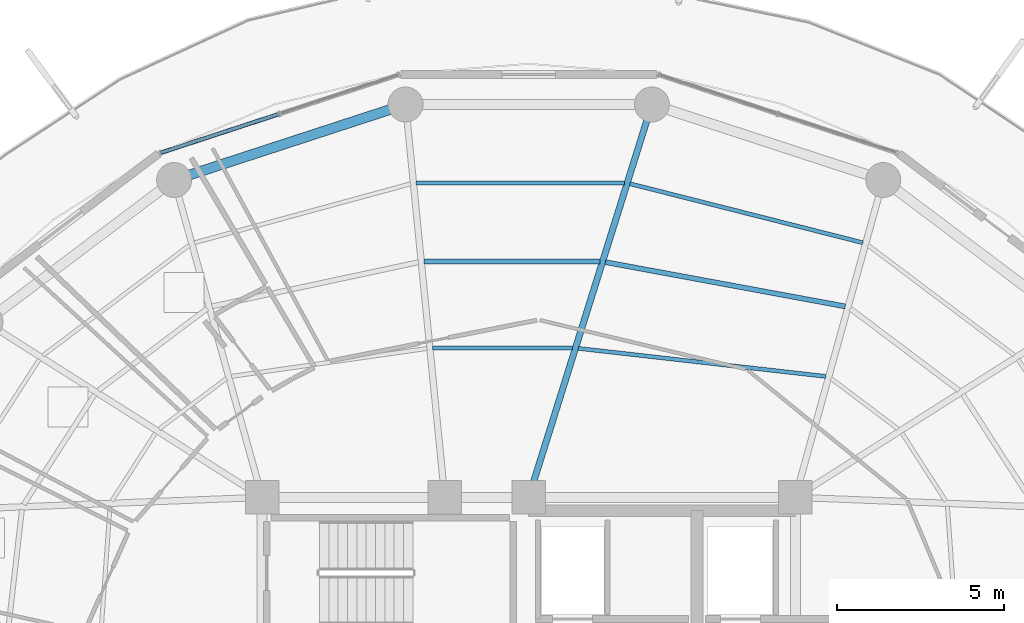
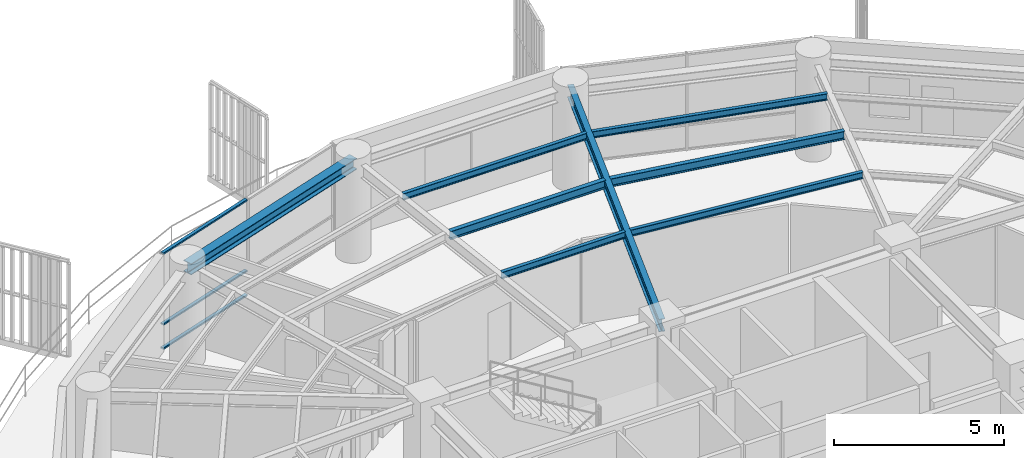
# One storey, part 19 of 31: 8 beams, 3 members, 1 element without a shape of its own.
"""IFC4 building model written with IfcOpenShell, lengths in metres."""

from ifc_helpers import new_model, si_unit, direction, frame, origin, origin_2d, place, context, subcontext, project, spatial, hollow_rectangle, i_section, extrude, material, layer, layer_set, material_profile, profile_set, type_object, element, aggregate, save


model = new_model("IFC4")

# Units and contexts
model_context = context("Model", 3, precision=1e-05, world=origin(), true_north=direction((0.0, 1.0)))
body_context = subcontext(model_context, "Body", "Model", "MODEL_VIEW")
ifc_project = project(units=[si_unit("LENGTHUNIT", "METRE"), si_unit("AREAUNIT", "SQUARE_METRE"), si_unit("VOLUMEUNIT", "CUBIC_METRE"), si_unit("PLANEANGLEUNIT", "RADIAN"), si_unit("MASSUNIT", "GRAM", prefix="KILO")], contexts=[model_context])

# Site, building, storey
site_placement = place(None, origin())
site = spatial("IfcSite", under=ifc_project, at=site_placement, CompositionType="ELEMENT")
building_placement = place(site_placement, origin())
building = spatial("IfcBuilding", under=site, at=building_placement, Name="Kelanora Arch Commons", CompositionType="ELEMENT")
storey_placement = place(building_placement, frame((0.0, 0.0, 230.699951171875)))
storey = spatial("IfcBuildingStorey", under=building, at=storey_placement, Name="L59", CompositionType="ELEMENT", Elevation=230.699951171875)

# Beams
ifc_material_1 = material(Name="Steel S355", Category="steel")
ifc_material_profile_1 = material_profile(ifc_material_1, i_section(OverallWidth=0.14990234375, OverallDepth=0.300048828125, WebThickness=0.007080078125, FlangeThickness=0.0107421875, FilletRadius=0.014892578125, at=origin_2d()), Name="IPE300")
ifc_profile_set_1 = profile_set([ifc_material_profile_1], Name="Steel S355")
beam_type_1 = type_object("IfcBeamType", Name="BM-JST-01", PredefinedType="JOIST", material=ifc_profile_set_1)
beam_1_placement = place(storey_placement, frame((83.50048828125, 70.729736328125, 3.340087890625), z_axis=(-0.983389964671, 0.181505309519, 0.0), x_axis=(-0.181505309519, -0.983389964671, 0.0)))
element("IfcBeam", 1, at=beam_1_placement, inside=storey, type_object=beam_type_1, Name="Secondary Chord Joist BJB-06 L59", PredefinedType="JOIST", context=body_context, shape_type="SweptSolid", body=[
    extrude(i_section(OverallWidth=0.14990234375, OverallDepth=0.300048828125, WebThickness=0.007080078125, FlangeThickness=0.0107421875, FilletRadius=0.014892578125, at=origin_2d()), origin(), (0.0, 0.0, 1.0), 7.3212890625),
])
beam_2_placement = place(storey_placement, frame((76.132080078125, 72.07421875, 3.340087890625), z_axis=(-1.0, 0.0, 0.0), x_axis=(0.0, -1.0, 0.0)))
element("IfcBeam", 2, at=beam_2_placement, inside=storey, type_object=beam_type_1, Name="Secondary Chord Joist BJB-08 L59", PredefinedType="JOIST", context=body_context, shape_type="SweptSolid", body=[
    extrude(i_section(OverallWidth=0.14990234375, OverallDepth=0.300048828125, WebThickness=0.007080078125, FlangeThickness=0.0107421875, FilletRadius=0.014892578125, at=origin_2d()), origin(), (0.0, 0.0, 1.0), 5.272216796875),
])
ifc_material_profile_2 = material_profile(ifc_material_1, i_section(OverallWidth=0.1201171875, OverallDepth=0.239990234375, WebThickness=0.006103515625, FlangeThickness=0.009765625, FilletRadius=0.014892578125, at=origin_2d()), Name="IPE240")
ifc_profile_set_2 = profile_set([ifc_material_profile_2], Name="Steel S355")
beam_type_2 = type_object("IfcBeamType", Name="BM-JST-02", PredefinedType="JOIST", material=ifc_profile_set_2)
beam_3_placement = place(storey_placement, frame((82.918701171875, 68.628662109375, 3.3701171875), z_axis=(-0.993639672263, 0.11260640171, 0.0), x_axis=(-0.11260640171, -0.993639672263, 0.0)))
element("IfcBeam", 3, at=beam_3_placement, inside=storey, type_object=beam_type_2, Name="Secondary Chord Joist BJA-06 L59", PredefinedType="JOIST", context=body_context, shape_type="SweptSolid", body=[
    extrude(i_section(OverallWidth=0.1201171875, OverallDepth=0.239990234375, WebThickness=0.006103515625, FlangeThickness=0.009765625, FilletRadius=0.014892578125, at=origin_2d()), origin(), (0.0, 0.0, 1.0), 7.477783203125),
])
beam_4_placement = place(storey_placement, frame((84.029541015625, 72.639892578125, 3.3701171875), z_axis=(-0.969370989998, 0.245601066263, 0.0), x_axis=(-0.245601066263, -0.969370989998, 0.0)))
element("IfcBeam", 4, at=beam_4_placement, inside=storey, type_object=beam_type_2, Name="Secondary Chord Joist BJC-06 L59", PredefinedType="JOIST", context=body_context, shape_type="SweptSolid", body=[
    extrude(i_section(OverallWidth=0.1201171875, OverallDepth=0.239990234375, WebThickness=0.006103515625, FlangeThickness=0.009765625, FilletRadius=0.014892578125, at=origin_2d()), origin(), (0.0, 0.0, 1.0), 7.2119140625),
])
beam_5_placement = place(storey_placement, frame((75.319091796875, 69.480224609375, 3.3701171875), z_axis=(-1.0, 0.0, 0.0), x_axis=(0.0, -1.0, 0.0)))
element("IfcBeam", 5, at=beam_5_placement, inside=storey, type_object=beam_type_2, Name="Secondary Chord Joist BJA-08 L59", PredefinedType="JOIST", context=body_context, shape_type="SweptSolid", body=[
    extrude(i_section(OverallWidth=0.1201171875, OverallDepth=0.239990234375, WebThickness=0.006103515625, FlangeThickness=0.009765625, FilletRadius=0.014892578125, at=origin_2d()), origin(), (0.0, 0.0, 1.0), 4.20068359375),
])
beam_6_placement = place(storey_placement, frame((76.87109375, 74.43212890625, 3.3701171875), z_axis=(-1.0, 0.0, 0.0), x_axis=(0.0, -1.0, 0.0)))
element("IfcBeam", 6, at=beam_6_placement, inside=storey, type_object=beam_type_2, Name="Secondary Chord Joist BJC-08 L59", PredefinedType="JOIST", context=body_context, shape_type="SweptSolid", body=[
    extrude(i_section(OverallWidth=0.1201171875, OverallDepth=0.239990234375, WebThickness=0.006103515625, FlangeThickness=0.009765625, FilletRadius=0.014892578125, at=origin_2d()), origin(), (0.0, 0.0, 1.0), 6.246337890625),
])
ifc_material_profile_3 = material_profile(ifc_material_1, i_section(OverallWidth=0.18994140625, OverallDepth=0.449951171875, WebThickness=0.009521484375, FlangeThickness=0.0146484375, FilletRadius=0.02099609375, at=origin_2d()), Name="IPE450")
ifc_profile_set_3 = profile_set([ifc_material_profile_3], Name="Steel S355")
beam_type_3 = type_object("IfcBeamType", Name="BM-RAD-Z4", PredefinedType="BEAM", material=ifc_profile_set_3)
beam_7_placement = place(storey_placement, frame((74.0, 65.0, 3.26513671875), z_axis=(0.299080457492, 0.954227897279, 0.0), x_axis=(-0.954227897279, 0.299080457492, 0.0)))
element("IfcBeam", 7, at=beam_7_placement, inside=storey, type_object=beam_type_3, Name="Radial Floor Girder BR-08 L59", PredefinedType="BEAM", context=body_context, shape_type="SweptSolid", body=[
    extrude(i_section(OverallWidth=0.18994140625, OverallDepth=0.449951171875, WebThickness=0.009521484375, FlangeThickness=0.0146484375, FilletRadius=0.02099609375, at=origin_2d()), origin(), (0.0, 0.0, 1.0), 12.35546875),
])
ifc_material_profile_4 = material_profile(ifc_material_1, i_section(OverallWidth=0.300048828125, OverallDepth=0.39990234375, WebThickness=0.013427734375, FlangeThickness=0.02392578125, FilletRadius=0.027099609375, at=origin_2d()), Name="HEB400")
ifc_profile_set_4 = profile_set([ifc_material_profile_4], Name="Steel S355")
beam_type_4 = type_object("IfcBeamType", Name="BM-SPN-Z4", PredefinedType="SPANDREL", material=ifc_profile_set_4)
beam_8_placement = place(storey_placement, frame((70.3046875, 76.7900390625, 3.2900390625), z_axis=(-0.950656361143, -0.310245842872, 0.0), x_axis=(0.310245842872, -0.950656361143, 0.0)))
element("IfcBeam", 8, at=beam_8_placement, inside=storey, type_object=beam_type_4, Name="Perimeter Spandrel Beam BS-10 L59", PredefinedType="SPANDREL", context=body_context, shape_type="SweptSolid", body=[
    extrude(i_section(OverallWidth=0.300048828125, OverallDepth=0.39990234375, WebThickness=0.013427734375, FlangeThickness=0.02392578125, FilletRadius=0.027099609375, at=origin_2d()), origin(), (0.0, 0.0, 1.0), 7.304931640625),
])

# Curtain wall, members
ifc_material_2 = material(Name="Terracotta ceramic-fritted low-E glass and aluminium", Category="masonry")
ifc_layer = layer(ifc_material_2, 0.175048828125)
ifc_layer_set = layer_set([ifc_layer], Name="Terracotta ceramic-fritted low-E glass and aluminium")
curtain_wall_type = type_object("IfcCurtainWallType", Name="CW-SYS-02", PredefinedType="NOTDEFINED", material=ifc_layer_set)
curtain_wall_placement = place(storey_placement, origin())
curtain_wall = element("IfcCurtainWall", 9, at=curtain_wall_placement, inside=storey, type_object=curtain_wall_type, Name="Unitised Curtain Wall L59-B05", PredefinedType="NOTDEFINED")
ifc_material_3 = material(Name="Powder-coated aluminium terracotta", Category="masonry")
ifc_material_profile_5 = material_profile(ifc_material_3, hollow_rectangle(XDim=0.1201171875, YDim=0.06005859375, WallThickness=0.0048828125, InnerFilletRadius=0.0048828125, OuterFilletRadius=0.010009765625, at=origin_2d()), Name="CWT120x60")
ifc_profile_set_5 = profile_set([ifc_material_profile_5], Name="Powder-coated aluminium terracotta")
member_type = type_object("IfcMemberType", Name="CWT-STD", PredefinedType="USERDEFINED", material=ifc_profile_set_5)
member_1_placement = place(storey_placement, frame((66.493896484375, 76.4990234375, 0.030029296875), z_axis=(-0.950226025222, -0.311561392011, 0.0), x_axis=(0.311561392011, -0.950226025222, 0.0)))
member_1 = element("IfcMember", 10, at=member_1_placement, type_object=member_type, Name="CW-02 transom 2.1", ObjectType="TRANSOM", PredefinedType="USERDEFINED", context=body_context, shape_type="SweptSolid", body=[
    extrude(hollow_rectangle(XDim=0.1201171875, YDim=0.06005859375, WallThickness=0.0048828125, InnerFilletRadius=0.0048828125, OuterFilletRadius=0.010009765625, at=origin_2d()), origin(), (0.0, 0.0, 1.0), 3.707275390625),
])
member_2_placement = place(storey_placement, frame((66.493896484375, 76.4990234375, 0.900146484375), z_axis=(-0.950226025222, -0.311561392011, 0.0), x_axis=(0.311561392011, -0.950226025222, 0.0)))
member_2 = element("IfcMember", 11, at=member_2_placement, type_object=member_type, Name="CW-02 transom 2.2", ObjectType="TRANSOM", PredefinedType="USERDEFINED", context=body_context, shape_type="SweptSolid", body=[
    extrude(hollow_rectangle(XDim=0.1201171875, YDim=0.06005859375, WallThickness=0.0048828125, InnerFilletRadius=0.0048828125, OuterFilletRadius=0.010009765625, at=origin_2d()), origin(), (0.0, 0.0, 1.0), 3.707275390625),
])
member_3_placement = place(storey_placement, frame((66.493896484375, 76.4990234375, 3.445068359375), z_axis=(-0.950226025222, -0.311561392011, 0.0), x_axis=(0.311561392011, -0.950226025222, 0.0)))
member_3 = element("IfcMember", 12, at=member_3_placement, type_object=member_type, Name="CW-02 transom 2.3", ObjectType="TRANSOM", PredefinedType="USERDEFINED", context=body_context, shape_type="SweptSolid", body=[
    extrude(hollow_rectangle(XDim=0.1201171875, YDim=0.06005859375, WallThickness=0.0048828125, InnerFilletRadius=0.0048828125, OuterFilletRadius=0.010009765625, at=origin_2d()), origin(), (0.0, 0.0, 1.0), 3.707275390625),
])
aggregate(curtain_wall, [member_1, member_2, member_3])

save(model, "model.ifc")
